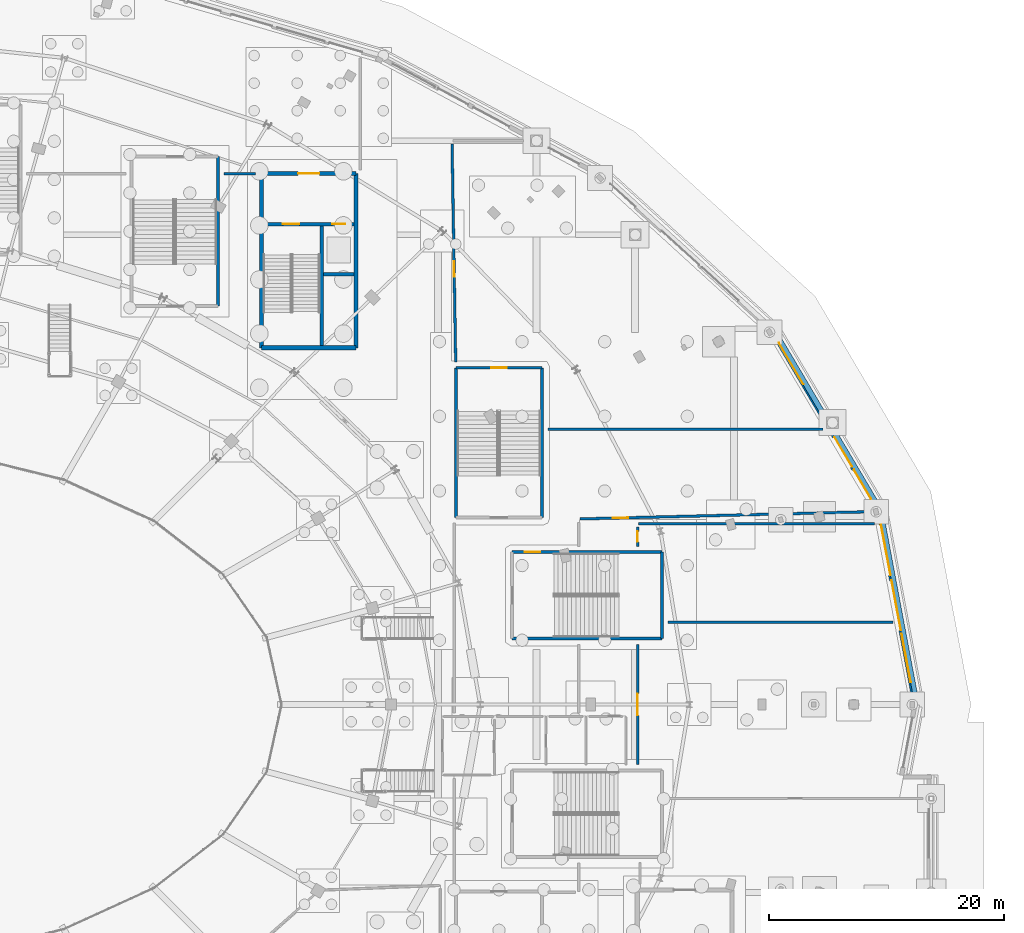
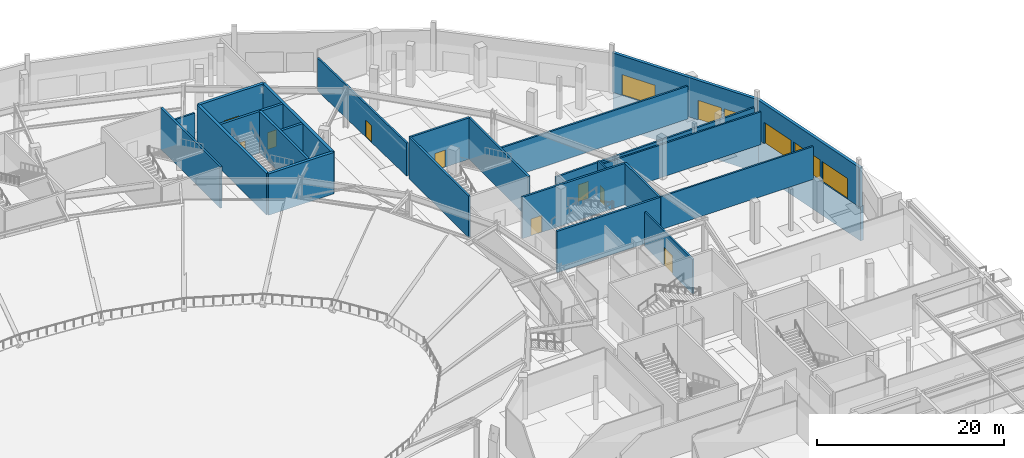
# One storey, part 63 of 93: 26 walls, 15 doors, 15 openings.
"""IFC4 building model written with IfcOpenShell, lengths in metres."""

from ifc_helpers import new_model, si_unit, direction, frame, frame_2d, origin, place, context, subcontext, project, spatial, rectangle, extrude, material, layer, layer_set, type_object, element, fill, save


model = new_model("IFC4")

# Units and contexts
model_context = context("Model", 3, precision=1e-05, world=origin(), true_north=direction((0.0, 1.0)))
body_context = subcontext(model_context, "Body", "Model", "MODEL_VIEW")
ifc_project = project(units=[si_unit("LENGTHUNIT", "METRE"), si_unit("AREAUNIT", "SQUARE_METRE"), si_unit("VOLUMEUNIT", "CUBIC_METRE"), si_unit("PLANEANGLEUNIT", "RADIAN"), si_unit("MASSUNIT", "GRAM", prefix="KILO")], contexts=[model_context])

# Site, building, storey
site_placement = place(None, origin())
site = spatial("IfcSite", under=ifc_project, at=site_placement, CompositionType="ELEMENT")
building_placement = place(site_placement, origin())
building = spatial("IfcBuilding", under=site, at=building_placement, Name="Kalgoora Escarpment Arena", CompositionType="ELEMENT")
storey_placement = place(building_placement, origin())
storey = spatial("IfcBuildingStorey", under=building, at=storey_placement, Name="L00", CompositionType="ELEMENT", Elevation=0.0)

# Wall
ifc_material_1 = material(Name="Concrete N50 (fc' 50 MPa)", Category="concrete")
ifc_layer_1 = layer(ifc_material_1, 0.35009765625)
ifc_layer_set_1 = layer_set([ifc_layer_1], Name="WAL-CORE-350")
wall_type_1 = type_object("IfcWallType", Name="WAL-CORE-350", PredefinedType="SHEAR", material=ifc_layer_set_1)
wall_1_placement = place(storey_placement, frame((127.77490234375, 94.375, 0.0), z_axis=(0.0, 0.0, 1.0), x_axis=(1.0, 0.0, 0.0)))
element("IfcWall", 1, at=wall_1_placement, inside=storey, type_object=wall_type_1, Name="Core C4 L00 south shear wall", PredefinedType="SHEAR", context=body_context, shape_type="SweptSolid", body=[
    extrude(rectangle(XDim=8.050048828125, YDim=0.35009765625, at=frame_2d((4.02490234375, 0.0))), origin(), (0.0, 0.0, 1.0), 5.39990234375),
])

# Wall, opening, door
wall_2_placement = place(storey_placement, frame((127.77490234375, 109.22509765625, 0.0), z_axis=(0.0, 0.0, 1.0), x_axis=(1.0, 0.0, 0.0)))
wall_2 = element("IfcWall", 2, at=wall_2_placement, inside=storey, type_object=wall_type_1, Name="Core C4 L00 north lobby wall", PredefinedType="SHEAR", context=body_context, shape_type="SweptSolid", body=[
    extrude(rectangle(XDim=8.050048828125, YDim=0.35009765625, at=frame_2d((4.02490234375, 0.0))), origin(), (0.0, 0.0, 1.0), 5.39990234375),
])
opening_1_placement = place(wall_2_placement, frame((3.125, 0.0, 0.0)))
opening_1 = element("IfcOpeningElement", 3, at=opening_1_placement, cuts=wall_2, Name="Opening FD-C4L", PredefinedType="OPENING", context=body_context, shape_type="SweptSolid", body=[
    extrude(rectangle(XDim=1.800048828125, YDim=2.25, at=frame_2d((0.89990234375, 1.125))), frame((0.0, 0.18505859375, 0.0), z_axis=(0.0, -1.0, 0.0), x_axis=(1.0, 0.0, 0.0)), (0.0, 0.0, 1.0), 0.3701171875),
])
ifc_material_2 = material(Name="Double fire-rated smoke-seal lobby door")
door_type_1 = type_object("IfcDoorType", Name="DR-LOBBY-1800", OperationType="NOTDEFINED", PredefinedType="DOOR", material=ifc_material_2)
door_1_placement = place(opening_1_placement, origin())
door_1 = element("IfcDoor", 4, at=door_1_placement, inside=storey, type_object=door_type_1, Name="Core C4 L00 smoke-lobby fire door", OperationType="DOUBLE_DOOR_SINGLE_SWING", OverallHeight=2.25, OverallWidth=1.800048828125, PredefinedType="DOOR", context=body_context, shape_type="SweptSolid", body=[
    extrude(rectangle(XDim=1.800048828125, YDim=2.25, at=frame_2d((0.89990234375, 1.125))), frame((0.0, 0.02490234375, 0.0), z_axis=(0.0, -1.0, 0.0), x_axis=(1.0, 0.0, 0.0)), (0.0, 0.0, 1.0), 0.050048828125),
])
fill(opening_1, door_1)

# Walls
for number, where, z_axis, x_axis, name in (
    (5, (127.77490234375, 94.375, 0.0), (0.0, 0.0, 1.0), (0.0, 1.0, 0.0), "Core C4 L00 west shear wall"),
    (6, (135.824951171875, 94.375, 0.0), (0.0, 0.0, 1.0), (0.0, 1.0, 0.0), "Core C4 L00 east shear wall"),
):
    element("IfcWall", number, at=place(storey_placement, frame(where, z_axis=z_axis, x_axis=x_axis)), inside=storey, type_object=wall_type_1, Name=name, PredefinedType="SHEAR", context=body_context, shape_type="SweptSolid", body=[
        extrude(rectangle(XDim=14.85009765625, YDim=0.35009765625, at=frame_2d((7.425048828125, 0.0))), origin(), (0.0, 0.0, 1.0), 5.39990234375),
    ])

# Wall, openings, doors
ifc_material_3 = material(Name="Cream limestone-faced precast concrete 40 MPa", Category="masonry")
ifc_layer_2 = layer(ifc_material_3, 0.360107421875)
ifc_layer_set_2 = layer_set([ifc_layer_2], Name="WAL-EXT-360")
wall_type_2 = type_object("IfcWallType", Name="WAL-EXT-360", PredefinedType="SOLIDWALL", material=ifc_layer_set_2)
wall_3_placement = place(storey_placement, frame((171.20458984375, 95.845458984375, 0.0), z_axis=(0.0, 0.0, 1.0), x_axis=(0.509495845346, -0.860473116126, 0.0)))
wall_3 = element("IfcWall", 7, at=wall_3_placement, inside=storey, type_object=wall_type_2, Name="L00 limestone-faced external wall 021", PredefinedType="SOLIDWALL", context=body_context, shape_type="SweptSolid", body=[
    extrude(rectangle(XDim=17.96875, YDim=0.360107421875, at=frame_2d((8.984375, 0.0))), origin(), (0.0, 0.0, 1.0), 5.14990234375),
])
opening_2_placement = place(wall_3_placement, frame((10.56005859375, 0.0, 0.0)))
opening_2 = element("IfcOpeningElement", 8, at=opening_2_placement, cuts=wall_3, Name="Opening G02", PredefinedType="OPENING", context=body_context, shape_type="SweptSolid", body=[
    extrude(rectangle(XDim=2.89990234375, YDim=2.550048828125, at=frame_2d((1.449951171875, 1.27490234375))), frame((0.0, 0.18994140625, 0.0), z_axis=(0.0, -1.0, 0.0), x_axis=(1.0, 0.0, 0.0)), (0.0, 0.0, 1.0), 0.380126953125),
])
opening_3_placement = place(wall_3_placement, frame((1.219970703125, 0.0, 0.0)))
opening_3 = element("IfcOpeningElement", 9, at=opening_3_placement, cuts=wall_3, Name="Opening G40", PredefinedType="OPENING", context=body_context, shape_type="SweptSolid", body=[
    extrude(rectangle(XDim=4.10009765625, YDim=2.699951171875, at=frame_2d((2.050048828125, 1.35009765625))), frame((0.0, 0.18994140625, 0.0), z_axis=(0.0, -1.0, 0.0), x_axis=(1.0, 0.0, 0.0)), (0.0, 0.0, 1.0), 0.380126953125),
])
opening_4_placement = place(wall_3_placement, frame((13.760009765625, 0.0, 0.0)))
opening_4 = element("IfcOpeningElement", 10, at=opening_4_placement, cuts=wall_3, Name="Opening G62", PredefinedType="OPENING", context=body_context, shape_type="SweptSolid", body=[
    extrude(rectangle(XDim=2.89990234375, YDim=2.550048828125, at=frame_2d((1.449951171875, 1.27490234375))), frame((0.0, 0.18994140625, 0.0), z_axis=(0.0, -1.0, 0.0), x_axis=(1.0, 0.0, 0.0)), (0.0, 0.0, 1.0), 0.380126953125),
])
ifc_material_4 = material(Name="Champagne anodised aluminium acoustic egress leaf", Category="aluminium")
door_type_2 = type_object("IfcDoorType", Name="DR-EGEXIT-2700", OperationType="NOTDEFINED", PredefinedType="DOOR", material=ifc_material_4)
door_2_placement = place(opening_3_placement, origin())
door_2 = element("IfcDoor", 11, at=door_2_placement, inside=storey, type_object=door_type_2, Name="Final pedestrian exit door G40", OperationType="DOUBLE_DOOR_SINGLE_SWING", OverallHeight=2.699951171875, OverallWidth=4.10009765625, PredefinedType="DOOR", context=body_context, shape_type="SweptSolid", body=[
    extrude(rectangle(XDim=4.10009765625, YDim=2.699951171875, at=frame_2d((2.050048828125, 1.35009765625))), frame((0.0, 0.02490234375, 0.0), z_axis=(0.0, -1.0, 0.0), x_axis=(1.0, 0.0, 0.0)), (0.0, 0.0, 1.0), 0.050048828125),
])
fill(opening_3, door_2)
ifc_material_5 = material(Name="Champagne anodised aluminium pedestrian egress gate leaf", Category="aluminium")
door_type_3 = type_object("IfcDoorType", Name="DR-PEDGATE-2900", OperationType="NOTDEFINED", PredefinedType="DOOR", material=ifc_material_5)
door_3_placement = place(opening_2_placement, origin())
door_3 = element("IfcDoor", 12, at=door_3_placement, inside=storey, type_object=door_type_3, Name="Final pedestrian exit door G02", OperationType="DOUBLE_DOOR_SINGLE_SWING", OverallHeight=2.550048828125, OverallWidth=2.89990234375, PredefinedType="DOOR", context=body_context, shape_type="SweptSolid", body=[
    extrude(rectangle(XDim=2.89990234375, YDim=2.550048828125, at=frame_2d((1.449951171875, 1.27490234375))), frame((0.0, 0.02490234375, 0.0), z_axis=(0.0, -1.0, 0.0), x_axis=(1.0, 0.0, 0.0)), (0.0, 0.0, 1.0), 0.050048828125),
])
fill(opening_2, door_3)
door_4_placement = place(opening_4_placement, origin())
door_4 = element("IfcDoor", 13, at=door_4_placement, inside=storey, type_object=door_type_3, Name="Final pedestrian exit door G62", OperationType="DOUBLE_DOOR_SINGLE_SWING", OverallHeight=2.550048828125, OverallWidth=2.89990234375, PredefinedType="DOOR", context=body_context, shape_type="SweptSolid", body=[
    extrude(rectangle(XDim=2.89990234375, YDim=2.550048828125, at=frame_2d((1.449951171875, 1.27490234375))), frame((0.0, 0.02490234375, 0.0), z_axis=(0.0, -1.0, 0.0), x_axis=(1.0, 0.0, 0.0)), (0.0, 0.0, 1.0), 0.050048828125),
])
fill(opening_4, door_4)

wall_4_placement = place(storey_placement, frame((180.3076171875, 80.52197265625, 0.0), z_axis=(0.0, 0.0, 1.0), x_axis=(0.184944832345, -0.982748904344, 0.0)))
wall_4 = element("IfcWall", 14, at=wall_4_placement, inside=storey, type_object=wall_type_2, Name="L00 limestone-faced external wall 022", PredefinedType="SOLIDWALL", context=body_context, shape_type="SweptSolid", body=[
    extrude(rectangle(XDim=16.888916015625, YDim=0.360107421875, at=frame_2d((8.4443359375, 0.0))), origin(), (0.0, 0.0, 1.0), 5.14990234375),
])
opening_5_placement = place(wall_4_placement, frame((1.219970703125, 0.0, 0.0)))
opening_5 = element("IfcOpeningElement", 15, at=opening_5_placement, cuts=wall_4, Name="Opening G41", PredefinedType="OPENING", context=body_context, shape_type="SweptSolid", body=[
    extrude(rectangle(XDim=4.39990234375, YDim=2.75, at=frame_2d((2.199951171875, 1.375))), frame((0.0, 0.18994140625, 0.0), z_axis=(0.0, -1.0, 0.0), x_axis=(1.0, 0.0, 0.0)), (0.0, 0.0, 1.0), 0.380126953125),
])
opening_6_placement = place(wall_4_placement, frame((6.06005859375, 0.0, 0.0)))
opening_6 = element("IfcOpeningElement", 16, at=opening_6_placement, cuts=wall_4, Name="Opening G42", PredefinedType="OPENING", context=body_context, shape_type="SweptSolid", body=[
    extrude(rectangle(XDim=4.300048828125, YDim=2.75, at=frame_2d((2.14990234375, 1.375))), frame((0.0, 0.18994140625, 0.0), z_axis=(0.0, -1.0, 0.0), x_axis=(1.0, 0.0, 0.0)), (0.0, 0.0, 1.0), 0.380126953125),
])
opening_7_placement = place(wall_4_placement, frame((10.679931640625, 0.0, 0.0)))
opening_7 = element("IfcOpeningElement", 17, at=opening_7_placement, cuts=wall_4, Name="Opening G43", PredefinedType="OPENING", context=body_context, shape_type="SweptSolid", body=[
    extrude(rectangle(XDim=4.199951171875, YDim=2.699951171875, at=frame_2d((2.10009765625, 1.35009765625))), frame((0.0, 0.18994140625, 0.0), z_axis=(0.0, -1.0, 0.0), x_axis=(1.0, 0.0, 0.0)), (0.0, 0.0, 1.0), 0.380126953125),
])
ifc_material_6 = material(Name="Champagne anodised aluminium acoustic egress leaf", Category="aluminium")
door_type_4 = type_object("IfcDoorType", Name="DR-EGEXIT-2750", OperationType="NOTDEFINED", PredefinedType="DOOR", material=ifc_material_6)
door_5_placement = place(opening_7_placement, origin())
door_5 = element("IfcDoor", 18, at=door_5_placement, inside=storey, type_object=door_type_4, Name="Final pedestrian exit door G43", OperationType="DOUBLE_DOOR_SINGLE_SWING", OverallHeight=2.699951171875, OverallWidth=4.199951171875, PredefinedType="DOOR", context=body_context, shape_type="SweptSolid", body=[
    extrude(rectangle(XDim=4.199951171875, YDim=2.699951171875, at=frame_2d((2.10009765625, 1.35009765625))), frame((0.0, 0.02490234375, 0.0), z_axis=(0.0, -1.0, 0.0), x_axis=(1.0, 0.0, 0.0)), (0.0, 0.0, 1.0), 0.050048828125),
])
fill(opening_7, door_5)
ifc_material_7 = material(Name="Champagne anodised aluminium acoustic egress leaf", Category="aluminium")
door_type_5 = type_object("IfcDoorType", Name="DR-EGEXIT-2800", OperationType="NOTDEFINED", PredefinedType="DOOR", material=ifc_material_7)
door_6_placement = place(opening_6_placement, origin())
door_6 = element("IfcDoor", 19, at=door_6_placement, inside=storey, type_object=door_type_5, Name="Final pedestrian exit door G42", OperationType="DOUBLE_DOOR_SINGLE_SWING", OverallHeight=2.75, OverallWidth=4.300048828125, PredefinedType="DOOR", context=body_context, shape_type="SweptSolid", body=[
    extrude(rectangle(XDim=4.300048828125, YDim=2.75, at=frame_2d((2.14990234375, 1.375))), frame((0.0, 0.02490234375, 0.0), z_axis=(0.0, -1.0, 0.0), x_axis=(1.0, 0.0, 0.0)), (0.0, 0.0, 1.0), 0.050048828125),
])
fill(opening_6, door_6)
ifc_material_8 = material(Name="Champagne anodised aluminium acoustic egress leaf", Category="aluminium")
door_type_6 = type_object("IfcDoorType", Name="DR-EGEXIT-2850", OperationType="NOTDEFINED", PredefinedType="DOOR", material=ifc_material_8)
door_7_placement = place(opening_5_placement, origin())
door_7 = element("IfcDoor", 20, at=door_7_placement, inside=storey, type_object=door_type_6, Name="Final pedestrian exit door G41", OperationType="DOUBLE_DOOR_SINGLE_SWING", OverallHeight=2.75, OverallWidth=4.39990234375, PredefinedType="DOOR", context=body_context, shape_type="SweptSolid", body=[
    extrude(rectangle(XDim=4.39990234375, YDim=2.75, at=frame_2d((2.199951171875, 1.375))), frame((0.0, 0.02490234375, 0.0), z_axis=(0.0, -1.0, 0.0), x_axis=(1.0, 0.0, 0.0)), (0.0, 0.0, 1.0), 0.050048828125),
])
fill(opening_5, door_7)

# Walls
ifc_material_9 = material(Name="Autoclaved aerated blockwork Concrete N40 (fc' 40 MPa)", Category="masonry")
ifc_layer_3 = layer(ifc_material_9, 0.219970703125)
ifc_layer_set_3 = layer_set([ifc_layer_3], Name="WAL-FIRE-220")
wall_type_3 = type_object("IfcWallType", Name="WAL-FIRE-220", PredefinedType="SOLIDWALL", material=ifc_layer_set_3)
wall_5_placement = place(storey_placement, frame((127.27490234375, 109.199951171875, 0.0), z_axis=(0.0, 0.0, 1.0), x_axis=(-1.0, 0.0, 0.0)))
element("IfcWall", 21, at=wall_5_placement, inside=storey, type_object=wall_type_3, Name="L00 North Protected Exit Passageway partition wall", PredefinedType="SOLIDWALL", context=body_context, shape_type="SweptSolid", body=[
    extrude(rectangle(XDim=2.699951171875, YDim=0.219970703125, at=frame_2d((1.35009765625, 0.0))), origin(), (0.0, 0.0, 1.0), 4.48291015625),
])
wall_6_placement = place(storey_placement, frame((152.175048828125, 87.449951171875, 0.0), z_axis=(0.0, 0.0, 1.0), x_axis=(1.0, 0.0, 0.0)))
element("IfcWall", 22, at=wall_6_placement, inside=storey, type_object=wall_type_3, Name="L00 North-East Protected Exit Passageway partition wall", PredefinedType="SOLIDWALL", context=body_context, shape_type="SweptSolid", body=[
    extrude(rectangle(XDim=23.3974609375, YDim=0.219970703125, at=frame_2d((11.69873046875, 0.0))), origin(), (0.0, 0.0, 1.0), 4.294921875),
])

# Wall, opening, door
wall_7_placement = place(storey_placement, frame((179.73388671875, 80.420166015625, 0.0), z_axis=(0.0, 0.0, 1.0), x_axis=(-0.999690839963, -0.024864120614, 0.0)))
wall_7 = element("IfcWall", 23, at=wall_7_placement, inside=storey, type_object=wall_type_3, Name="L00 North-East Protected Exit Passageway partition wall", PredefinedType="SOLIDWALL", context=body_context, shape_type="SweptSolid", body=[
    extrude(rectangle(XDim=24.861572265625, YDim=0.219970703125, at=frame_2d((12.4306640625, 0.0))), origin(), (0.0, 0.0, 1.0), 4.294921875),
])
opening_8_placement = place(wall_7_placement, frame((20.716552734375, 0.0, 0.0)))
opening_8 = element("IfcOpeningElement", 24, at=opening_8_placement, cuts=wall_7, Name="Opening FD-I034", PredefinedType="OPENING", context=body_context, shape_type="SweptSolid", body=[
    extrude(rectangle(XDim=1.320068359375, YDim=2.199951171875, at=frame_2d((0.66015625, 1.10009765625))), frame((0.0, 0.119873046875, 0.0), z_axis=(0.0, -1.0, 0.0), x_axis=(1.0, 0.0, 0.0)), (0.0, 0.0, 1.0), 0.239990234375),
])
ifc_material_10 = material(Name="Fire-rated steel stair leaf with vision panel", Category="steel")
door_type_7 = type_object("IfcDoorType", Name="DR-STAIR-1320", OperationType="NOTDEFINED", PredefinedType="DOOR", material=ifc_material_10)
door_8_placement = place(opening_8_placement, origin())
door_8 = element("IfcDoor", 25, at=door_8_placement, inside=storey, type_object=door_type_7, Name="North-East Protected Exit Passageway entrance door", OperationType="SINGLE_SWING_LEFT", OverallHeight=2.199951171875, OverallWidth=1.320068359375, PredefinedType="DOOR", context=body_context, shape_type="SweptSolid", body=[
    extrude(rectangle(XDim=1.320068359375, YDim=2.199951171875, at=frame_2d((0.66015625, 1.10009765625))), frame((0.0, 0.02490234375, 0.0), z_axis=(0.0, -1.0, 0.0), x_axis=(1.0, 0.0, 0.0)), (0.0, 0.0, 1.0), 0.050048828125),
])
fill(opening_8, door_8)

wall_8_placement = place(storey_placement, frame((144.314453125, 93.174560546875, 0.0), z_axis=(0.0, 0.0, 1.0), x_axis=(-0.016708668232, 0.999860400459, 0.0)))
wall_8 = element("IfcWall", 26, at=wall_8_placement, inside=storey, type_object=wall_type_3, Name="L00 North-East Protected Exit Passageway 2 partition wall", PredefinedType="SOLIDWALL", context=body_context, shape_type="SweptSolid", body=[
    extrude(rectangle(XDim=18.542236328125, YDim=0.219970703125, at=frame_2d((9.27099609375, 0.0))), origin(), (0.0, 0.0, 1.0), 4.294921875),
])
opening_9_placement = place(wall_8_placement, frame((7.2333984375, 0.0, 0.0)))
opening_9 = element("IfcOpeningElement", 27, at=opening_9_placement, cuts=wall_8, Name="Opening FD-I035", PredefinedType="OPENING", context=body_context, shape_type="SweptSolid", body=[
    extrude(rectangle(XDim=1.320068359375, YDim=2.199951171875, at=frame_2d((0.66015625, 1.10009765625))), frame((0.0, 0.119873046875, 0.0), z_axis=(0.0, -1.0, 0.0), x_axis=(1.0, 0.0, 0.0)), (0.0, 0.0, 1.0), 0.239990234375),
])
door_9_placement = place(opening_9_placement, origin())
door_9 = element("IfcDoor", 28, at=door_9_placement, inside=storey, type_object=door_type_7, Name="North-East Protected Exit Passageway 2 entrance door", OperationType="SINGLE_SWING_RIGHT", OverallHeight=2.199951171875, OverallWidth=1.320068359375, PredefinedType="DOOR", context=body_context, shape_type="SweptSolid", body=[
    extrude(rectangle(XDim=1.320068359375, YDim=2.199951171875, at=frame_2d((0.66015625, 1.10009765625))), frame((0.0, 0.02490234375, 0.0), z_axis=(0.0, -1.0, 0.0), x_axis=(1.0, 0.0, 0.0)), (0.0, 0.0, 1.0), 0.050048828125),
])
fill(opening_9, door_9)

# Wall
ifc_material_11 = material(Name="Acoustic masonry plant wall Concrete N40 (fc' 40 MPa)", Category="masonry")
ifc_layer_4 = layer(ifc_material_11, 0.205078125)
ifc_layer_set_4 = layer_set([ifc_layer_4], Name="WAL-PLANT-205")
wall_type_4 = type_object("IfcWallType", Name="WAL-PLANT-205", PredefinedType="SOLIDWALL", material=ifc_layer_set_4)
wall_9_placement = place(storey_placement, frame((162.375, 71.0, 0.0), z_axis=(0.0, 0.0, 1.0), x_axis=(1.0, 0.0, 0.0)))
element("IfcWall", 29, at=wall_9_placement, inside=storey, type_object=wall_type_4, Name="L00 Main Chiller Plant Room partition wall", PredefinedType="SOLIDWALL", context=body_context, shape_type="SweptSolid", body=[
    extrude(rectangle(XDim=19.1865234375, YDim=0.205078125, at=frame_2d((9.59326171875, 0.0))), origin(), (0.0, 0.0, 1.0), 4.294921875),
])

# Wall, opening, door
wall_10_placement = place(storey_placement, frame((159.800048828125, 58.875, 0.0), z_axis=(0.0, 0.0, 1.0), x_axis=(0.0, 1.0, 0.0)))
wall_10 = element("IfcWall", 30, at=wall_10_placement, inside=storey, type_object=wall_type_4, Name="L00 Main Chiller Plant Room partition wall", PredefinedType="SOLIDWALL", context=body_context, shape_type="SweptSolid", body=[
    extrude(rectangle(XDim=10.25, YDim=0.205078125, at=frame_2d((5.125, 0.0))), origin(), (0.0, 0.0, 1.0), 4.48291015625),
])
opening_10_placement = place(wall_10_placement, frame((4.199951171875, 0.0, 0.0)))
opening_10 = element("IfcOpeningElement", 31, at=opening_10_placement, cuts=wall_10, Name="Opening FD-I031", PredefinedType="OPENING", context=body_context, shape_type="SweptSolid", body=[
    extrude(rectangle(XDim=1.85009765625, YDim=2.39990234375, at=frame_2d((0.925048828125, 1.199951171875))), frame((0.0, 0.112548828125, 0.0), z_axis=(0.0, -1.0, 0.0), x_axis=(1.0, 0.0, 0.0)), (0.0, 0.0, 1.0), 0.22509765625),
])
ifc_material_12 = material(Name="Acoustic louvred steel double plant door", Category="steel")
door_type_8 = type_object("IfcDoorType", Name="DR-PLANT-1850", OperationType="NOTDEFINED", PredefinedType="DOOR", material=ifc_material_12)
door_10_placement = place(opening_10_placement, origin())
door_10 = element("IfcDoor", 32, at=door_10_placement, inside=storey, type_object=door_type_8, Name="Main Chiller Plant Room entrance door", OperationType="DOUBLE_DOOR_SINGLE_SWING", OverallHeight=2.39990234375, OverallWidth=1.85009765625, PredefinedType="DOOR", context=body_context, shape_type="SweptSolid", body=[
    extrude(rectangle(XDim=1.85009765625, YDim=2.39990234375, at=frame_2d((0.925048828125, 1.199951171875))), frame((0.0, 0.02490234375, 0.0), z_axis=(0.0, -1.0, 0.0), x_axis=(1.0, 0.0, 0.0)), (0.0, 0.0, 1.0), 0.050048828125),
])
fill(opening_10, door_10)

# Wall
wall_11_placement = place(storey_placement, frame((159.8798828125, 79.39990234375, 0.0), z_axis=(0.0, 0.0, 1.0), x_axis=(1.0, 0.0, 0.0)))
element("IfcWall", 33, at=wall_11_placement, inside=storey, type_object=wall_type_4, Name="L00 HV Substation Switchroom partition wall", PredefinedType="SOLIDWALL", context=body_context, shape_type="SweptSolid", body=[
    extrude(rectangle(XDim=20.100830078125, YDim=0.205078125, at=frame_2d((10.05029296875, 0.0))), origin(), (0.0, 0.0, 1.0), 4.294921875),
])

# Wall, opening, door
wall_12_placement = place(storey_placement, frame((159.800048828125, 77.47509765625, 0.0), z_axis=(0.0, 0.0, 1.0), x_axis=(0.0, 1.0, 0.0)))
wall_12 = element("IfcWall", 34, at=wall_12_placement, inside=storey, type_object=wall_type_4, Name="L00 HV Substation Switchroom partition wall", PredefinedType="SOLIDWALL", context=body_context, shape_type="SweptSolid", body=[
    extrude(rectangle(XDim=1.64013671875, YDim=0.205078125, at=frame_2d((0.820068359375, 0.0))), origin(), (0.0, 0.0, 1.0), 5.1201171875),
])
opening_11_placement = place(wall_12_placement, frame((0.3701171875, 0.0, 0.0)))
opening_11 = element("IfcOpeningElement", 35, at=opening_11_placement, cuts=wall_12, Name="Opening FD-I032", PredefinedType="OPENING", context=body_context, shape_type="SweptSolid", body=[
    extrude(rectangle(XDim=0.89990234375, YDim=2.10009765625, at=frame_2d((0.449951171875, 1.050048828125))), frame((0.0, 0.112548828125, 0.0), z_axis=(0.0, -1.0, 0.0), x_axis=(1.0, 0.0, 0.0)), (0.0, 0.0, 1.0), 0.22509765625),
])
ifc_material_13 = material(Name="Fire-rated steel riser access door", Category="steel")
door_type_9 = type_object("IfcDoorType", Name="DR-RISER-0900", OperationType="NOTDEFINED", PredefinedType="DOOR", material=ifc_material_13)
door_11_placement = place(opening_11_placement, origin())
door_11 = element("IfcDoor", 36, at=door_11_placement, inside=storey, type_object=door_type_9, Name="HV Substation Switchroom entrance door", OperationType="SINGLE_SWING_LEFT", OverallHeight=2.10009765625, OverallWidth=0.89990234375, PredefinedType="DOOR", context=body_context, shape_type="SweptSolid", body=[
    extrude(rectangle(XDim=0.89990234375, YDim=2.10009765625, at=frame_2d((0.449951171875, 1.050048828125))), frame((0.0, 0.02490234375, 0.0), z_axis=(0.0, -1.0, 0.0), x_axis=(1.0, 0.0, 0.0)), (0.0, 0.0, 1.0), 0.050048828125),
])
fill(opening_11, door_11)

# Walls
ifc_material_14 = material(Name="Concrete N40 (fc' 40 MPa)", Category="concrete")
ifc_layer_5 = layer(ifc_material_14, 0.39501953125)
ifc_layer_set_5 = layer_set([ifc_layer_5], Name="WAL-RET-395")
wall_type_5 = type_object("IfcWallType", Name="WAL-RET-395", PredefinedType="USERDEFINED", material=ifc_layer_set_5)
wall_13_placement = place(storey_placement, frame((180.492431640625, 80.5126953125, -4.5), z_axis=(0.0, 0.0, 1.0), x_axis=(0.184951716714, -0.98274760874, 0.0)))
element("IfcWall", 37, at=wall_13_placement, inside=storey, type_object=wall_type_5, Name="Escarpment stepped limestone plinth retaining wall 20", ObjectType="RETAININGWALL", PredefinedType="USERDEFINED", context=body_context, shape_type="SweptSolid", body=[
    extrude(rectangle(XDim=16.802490234375, YDim=0.39501953125, at=frame_2d((8.4013671875, 0.0))), origin(), (0.0, 0.0, 1.0), 4.5),
])
ifc_material_15 = material(Name="Concrete N40 (fc' 40 MPa)", Category="concrete")
ifc_layer_6 = layer(ifc_material_15, 0.43994140625)
ifc_layer_set_6 = layer_set([ifc_layer_6], Name="WAL-RET-440")
wall_type_6 = type_object("IfcWallType", Name="WAL-RET-440", PredefinedType="USERDEFINED", material=ifc_layer_set_6)
wall_14_placement = place(storey_placement, frame((171.381591796875, 95.89990234375, -4.5), z_axis=(0.0, 0.0, 1.0), x_axis=(0.509491740649, -0.86047554655, 0.0)))
element("IfcWall", 38, at=wall_14_placement, inside=storey, type_object=wall_type_6, Name="Escarpment stepped limestone plinth retaining wall 19", ObjectType="RETAININGWALL", PredefinedType="USERDEFINED", context=body_context, shape_type="SweptSolid", body=[
    extrude(rectangle(XDim=17.88232421875, YDim=0.43994140625, at=frame_2d((8.941162109375, 0.0))), origin(), (0.0, 0.0, 1.0), 4.5),
])

# Wall, openings, doors
ifc_material_16 = material(Name="Concrete N50 (fc' 50 MPa)", Category="concrete")
ifc_layer_7 = layer(ifc_material_16, 0.300048828125)
ifc_layer_set_7 = layer_set([ifc_layer_7], Name="WAL-SHAFT-300")
wall_type_7 = type_object("IfcWallType", Name="WAL-SHAFT-300", PredefinedType="SHEAR", material=ifc_layer_set_7)
wall_15_placement = place(storey_placement, frame((127.949951171875, 104.89990234375, 0.0), z_axis=(0.0, 0.0, 1.0), x_axis=(1.0, 0.0, 0.0)))
wall_15 = element("IfcWall", 39, at=wall_15_placement, inside=storey, type_object=wall_type_7, Name="Core C4 L00 lobby shaft wall", PredefinedType="SHEAR", context=body_context, shape_type="SweptSolid", body=[
    extrude(rectangle(XDim=7.699951171875, YDim=0.300048828125, at=frame_2d((3.85009765625, 0.0))), origin(), (0.0, 0.0, 1.0), 5.39990234375),
])
opening_12_placement = place(wall_15_placement, frame((1.64990234375, 0.0, 0.0)))
opening_12 = element("IfcOpeningElement", 40, at=opening_12_placement, cuts=wall_15, Name="Opening FD-ST04", PredefinedType="OPENING", context=body_context, shape_type="SweptSolid", body=[
    extrude(rectangle(XDim=1.39990234375, YDim=2.199951171875, at=frame_2d((0.699951171875, 1.10009765625))), frame((0.0, 0.159912109375, 0.0), z_axis=(0.0, -1.0, 0.0), x_axis=(1.0, 0.0, 0.0)), (0.0, 0.0, 1.0), 0.320068359375),
])
opening_13_placement = place(wall_15_placement, frame((5.85009765625, 0.0, 0.0)))
opening_13 = element("IfcOpeningElement", 41, at=opening_13_placement, cuts=wall_15, Name="Opening LD-PL2", PredefinedType="OPENING", context=body_context, shape_type="SweptSolid", body=[
    extrude(rectangle(XDim=1.10009765625, YDim=2.199951171875, at=frame_2d((0.550048828125, 1.10009765625))), frame((0.0, 0.159912109375, 0.0), z_axis=(0.0, -1.0, 0.0), x_axis=(1.0, 0.0, 0.0)), (0.0, 0.0, 1.0), 0.320068359375),
])
ifc_material_17 = material(Name="Brushed stainless steel sliding lift landing door", Category="steel")
door_type_10 = type_object("IfcDoorType", Name="DR-LD-PL2", OperationType="SLIDING_TO_LEFT", PredefinedType="DOOR", material=ifc_material_17)
door_12_placement = place(opening_13_placement, origin())
door_12 = element("IfcDoor", 42, at=door_12_placement, inside=storey, type_object=door_type_10, Name="Lift PL2 L00 sliding landing door", OperationType="SLIDING_TO_LEFT", OverallHeight=2.199951171875, OverallWidth=1.10009765625, PredefinedType="DOOR", context=body_context, shape_type="SweptSolid", body=[
    extrude(rectangle(XDim=1.10009765625, YDim=2.199951171875, at=frame_2d((0.550048828125, 1.10009765625))), frame((0.0, 0.02490234375, 0.0), z_axis=(0.0, -1.0, 0.0), x_axis=(1.0, 0.0, 0.0)), (0.0, 0.0, 1.0), 0.050048828125),
])
fill(opening_13, door_12)
ifc_material_18 = material(Name="Fire-rated steel stair leaf with vision panel", Category="steel")
door_type_11 = type_object("IfcDoorType", Name="DR-STAIR-1400", OperationType="NOTDEFINED", PredefinedType="DOOR", material=ifc_material_18)
door_13_placement = place(opening_12_placement, origin())
door_13 = element("IfcDoor", 43, at=door_13_placement, inside=storey, type_object=door_type_11, Name="Fire stair ST04 L00 fire door", OperationType="SINGLE_SWING_LEFT", OverallHeight=2.199951171875, OverallWidth=1.39990234375, PredefinedType="DOOR", context=body_context, shape_type="SweptSolid", body=[
    extrude(rectangle(XDim=1.39990234375, YDim=2.199951171875, at=frame_2d((0.699951171875, 1.10009765625))), frame((0.0, 0.02490234375, 0.0), z_axis=(0.0, -1.0, 0.0), x_axis=(1.0, 0.0, 0.0)), (0.0, 0.0, 1.0), 0.050048828125),
])
fill(opening_12, door_13)

# Walls
wall_16_placement = place(storey_placement, frame((132.89990234375, 94.550048828125, 0.0), z_axis=(0.0, 0.0, 1.0), x_axis=(0.0, 1.0, 0.0)))
element("IfcWall", 44, at=wall_16_placement, inside=storey, type_object=wall_type_7, Name="Core C4 L00 stair-lift spine wall", PredefinedType="SHEAR", context=body_context, shape_type="SweptSolid", body=[
    extrude(rectangle(XDim=10.349853515625, YDim=0.300048828125, at=frame_2d((5.1748046875, 0.0))), origin(), (0.0, 0.0, 1.0), 5.39990234375),
])
wall_17_placement = place(storey_placement, frame((133.050048828125, 100.64990234375, 0.0), z_axis=(0.0, 0.0, 1.0), x_axis=(1.0, 0.0, 0.0)))
element("IfcWall", 45, at=wall_17_placement, inside=storey, type_object=wall_type_7, Name="Core C4 L00 lift-riser divider wall", PredefinedType="SHEAR", context=body_context, shape_type="SweptSolid", body=[
    extrude(rectangle(XDim=2.599853515625, YDim=0.300048828125, at=frame_2d((1.2998046875, 0.0))), origin(), (0.0, 0.0, 1.0), 5.39990234375),
])
ifc_material_19 = material(Name="Concrete N50 (fc' 50 MPa)", Category="concrete")
ifc_layer_8 = layer(ifc_material_19, 0.25)
ifc_layer_set_8 = layer_set([ifc_layer_8], Name="WAL-STAIR-250")
wall_type_8 = type_object("IfcWallType", Name="WAL-STAIR-250", PredefinedType="SHEAR", material=ifc_layer_set_8)
for number, where, z_axis, x_axis, name in (
    (46, (124.074951171875, 97.925048828125, 0.0), (0.0, 0.0, 1.0), (0.0, 1.0, 0.0), "Exit stair ST12 L00 east wall"),
    (47, (149.125, 69.625, 0.0), (0.0, 0.0, 1.0), (1.0, 0.0, 0.0), "Exit stair ST21 L00 south wall"),
):
    element("IfcWall", number, at=place(storey_placement, frame(where, z_axis=z_axis, x_axis=x_axis)), inside=storey, type_object=wall_type_8, Name=name, PredefinedType="SHEAR", context=body_context, shape_type="SweptSolid", body=[
        extrude(rectangle(XDim=12.75, YDim=0.25, at=frame_2d((6.375, 0.0))), origin(), (0.0, 0.0, 1.0), 5.39990234375),
    ])

# Wall, opening, door
wall_18_placement = place(storey_placement, frame((149.125, 76.97509765625, 0.0), z_axis=(0.0, 0.0, 1.0), x_axis=(1.0, 0.0, 0.0)))
wall_18 = element("IfcWall", 48, at=wall_18_placement, inside=storey, type_object=wall_type_8, Name="Exit stair ST21 L00 north wall", PredefinedType="SHEAR", context=body_context, shape_type="SweptSolid", body=[
    extrude(rectangle(XDim=12.75, YDim=0.25, at=frame_2d((6.375, 0.0))), origin(), (0.0, 0.0, 1.0), 5.39990234375),
])
opening_14_placement = place(wall_18_placement, frame((1.050048828125, 0.0, 0.0)))
opening_14 = element("IfcOpeningElement", 49, at=opening_14_placement, cuts=wall_18, Name="Opening FD-ST21X", PredefinedType="OPENING", context=body_context, shape_type="SweptSolid", body=[
    extrude(rectangle(XDim=1.320068359375, YDim=2.199951171875, at=frame_2d((0.66015625, 1.10009765625))), frame((0.0, 0.135009765625, 0.0), z_axis=(0.0, -1.0, 0.0), x_axis=(1.0, 0.0, 0.0)), (0.0, 0.0, 1.0), 0.27001953125),
])
door_14_placement = place(opening_14_placement, origin())
door_14 = element("IfcDoor", 50, at=door_14_placement, inside=storey, type_object=door_type_7, Name="Fire-isolated stair ST21 L00 protected discharge door", OperationType="SINGLE_SWING_LEFT", OverallHeight=2.199951171875, OverallWidth=1.320068359375, PredefinedType="DOOR", context=body_context, shape_type="SweptSolid", body=[
    extrude(rectangle(XDim=1.320068359375, YDim=2.199951171875, at=frame_2d((0.66015625, 1.10009765625))), frame((0.0, 0.02490234375, 0.0), z_axis=(0.0, -1.0, 0.0), x_axis=(1.0, 0.0, 0.0)), (0.0, 0.0, 1.0), 0.050048828125),
])
fill(opening_14, door_14)

# Wall
wall_19_placement = place(storey_placement, frame((161.875, 69.625, 0.0), z_axis=(0.0, 0.0, 1.0), x_axis=(0.0, 1.0, 0.0)))
element("IfcWall", 51, at=wall_19_placement, inside=storey, type_object=wall_type_8, Name="Exit stair ST21 L00 east wall", PredefinedType="SHEAR", context=body_context, shape_type="SweptSolid", body=[
    extrude(rectangle(XDim=7.35009765625, YDim=0.25, at=frame_2d((3.675048828125, 0.0))), origin(), (0.0, 0.0, 1.0), 5.39990234375),
])

# Wall, opening, door
wall_20_placement = place(storey_placement, frame((144.324951171875, 92.675048828125, 0.0), z_axis=(0.0, 0.0, 1.0), x_axis=(1.0, 0.0, 0.0)))
wall_20 = element("IfcWall", 52, at=wall_20_placement, inside=storey, type_object=wall_type_8, Name="Exit stair ST23 L00 north wall", PredefinedType="SHEAR", context=body_context, shape_type="SweptSolid", body=[
    extrude(rectangle(XDim=7.35009765625, YDim=0.25, at=frame_2d((3.675048828125, 0.0))), origin(), (0.0, 0.0, 1.0), 5.39990234375),
])
opening_15_placement = place(wall_20_placement, frame((3.014892578125, 0.0, 0.0)))
opening_15 = element("IfcOpeningElement", 53, at=opening_15_placement, cuts=wall_20, Name="Opening FD-ST23X", PredefinedType="OPENING", context=body_context, shape_type="SweptSolid", body=[
    extrude(rectangle(XDim=1.320068359375, YDim=2.199951171875, at=frame_2d((0.66015625, 1.10009765625))), frame((0.0, 0.135009765625, 0.0), z_axis=(0.0, -1.0, 0.0), x_axis=(1.0, 0.0, 0.0)), (0.0, 0.0, 1.0), 0.27001953125),
])
door_15_placement = place(opening_15_placement, origin())
door_15 = element("IfcDoor", 54, at=door_15_placement, inside=storey, type_object=door_type_7, Name="Fire-isolated stair ST23 L00 protected discharge door", OperationType="SINGLE_SWING_RIGHT", OverallHeight=2.199951171875, OverallWidth=1.320068359375, PredefinedType="DOOR", context=body_context, shape_type="SweptSolid", body=[
    extrude(rectangle(XDim=1.320068359375, YDim=2.199951171875, at=frame_2d((0.66015625, 1.10009765625))), frame((0.0, 0.02490234375, 0.0), z_axis=(0.0, -1.0, 0.0), x_axis=(1.0, 0.0, 0.0)), (0.0, 0.0, 1.0), 0.050048828125),
])
fill(opening_15, door_15)

# Walls
for number, where, z_axis, x_axis, name in (
    (55, (144.324951171875, 79.925048828125, 0.0), (0.0, 0.0, 1.0), (0.0, 1.0, 0.0), "Exit stair ST23 L00 west wall"),
    (56, (151.675048828125, 79.925048828125, 0.0), (0.0, 0.0, 1.0), (0.0, 1.0, 0.0), "Exit stair ST23 L00 east wall"),
):
    element("IfcWall", number, at=place(storey_placement, frame(where, z_axis=z_axis, x_axis=x_axis)), inside=storey, type_object=wall_type_8, Name=name, PredefinedType="SHEAR", context=body_context, shape_type="SweptSolid", body=[
        extrude(rectangle(XDim=12.75, YDim=0.25, at=frame_2d((6.375, 0.0))), origin(), (0.0, 0.0, 1.0), 5.39990234375),
    ])

save(model, "model.ifc")
